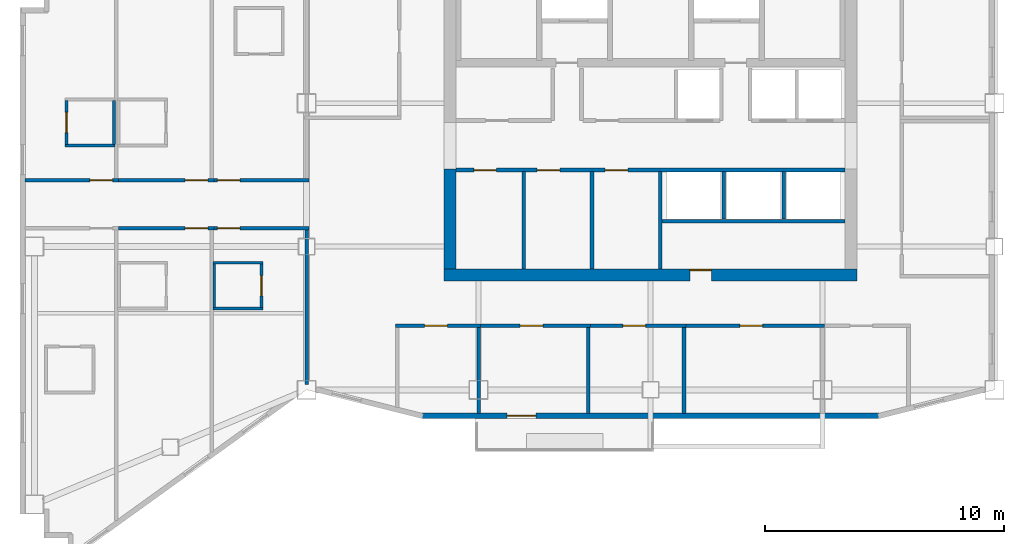
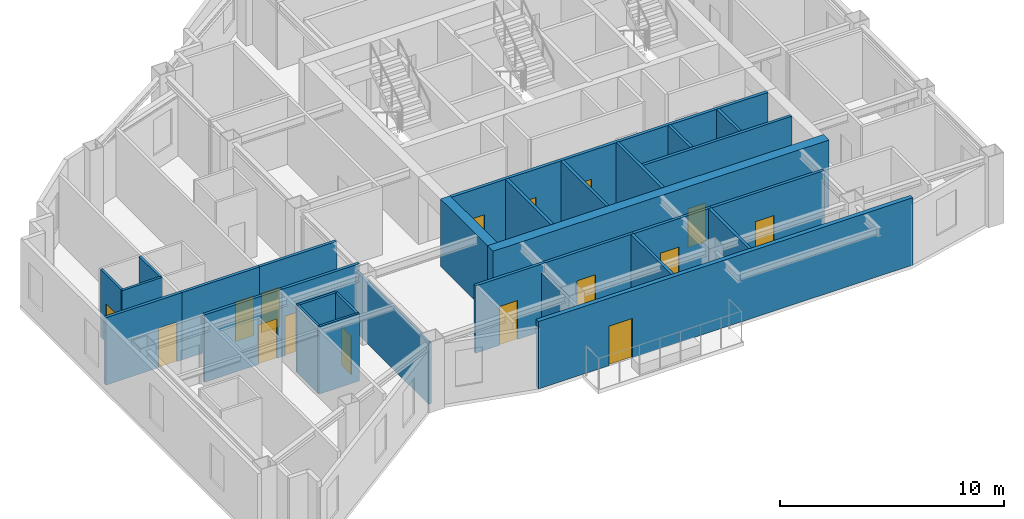
# One storey, part 5 of 11: 30 walls, 16 doors, 16 openings.
"""IFC4 building model written with IfcOpenShell, lengths in metres."""

from ifc_helpers import new_model, si_unit, direction, frame, frame_2d, origin, place, context, subcontext, project, spatial, rectangle, extrude, material, layer, layer_set, type_object, element, fill, save


model = new_model("IFC4")

# Units and contexts
model_context = context("Model", 3, precision=1e-05, world=origin(), true_north=direction((0.0, 1.0)))
body_context = subcontext(model_context, "Body", "Model", "MODEL_VIEW")
ifc_project = project(units=[si_unit("LENGTHUNIT", "METRE"), si_unit("AREAUNIT", "SQUARE_METRE"), si_unit("VOLUMEUNIT", "CUBIC_METRE"), si_unit("PLANEANGLEUNIT", "RADIAN"), si_unit("MASSUNIT", "GRAM", prefix="KILO")], contexts=[model_context])

# Site, building, storey
site_placement = place(None, origin())
site = spatial("IfcSite", under=ifc_project, at=site_placement, CompositionType="ELEMENT")
building_placement = place(site_placement, origin())
building = spatial("IfcBuilding", under=site, at=building_placement, Name="Haolan Belvedere Tower", CompositionType="ELEMENT")
storey_placement = place(building_placement, frame((0.0, 0.0, 254.449951171875)))
storey = spatial("IfcBuildingStorey", under=building, at=storey_placement, Name="L64", CompositionType="ELEMENT", Elevation=254.449951171875)

# Wall, opening, door
ifc_material_1 = material(Name="Concrete C50/60", Category="concrete")
ifc_layer_1 = layer(ifc_material_1, 0.5, Name="Concrete C50/60")
ifc_layer_set_1 = layer_set([ifc_layer_1], Name="Concrete C50/60")
wall_type_1 = type_object("IfcWallType", Name="WL-CORE-500", PredefinedType="SHEAR", material=ifc_layer_set_1)
wall_1_placement = place(storey_placement, frame((29.75, 26.39990234375, 0.0), z_axis=(0.0, 0.0, 1.0), x_axis=(1.0, 0.0, 0.0)))
wall_1 = element("IfcWall", 1, at=wall_1_placement, inside=storey, type_object=wall_type_1, Name="L64 central core south shear wall", PredefinedType="SHEAR", context=body_context, shape_type="SweptSolid", body=[
    extrude(rectangle(XDim=17.300048828125, YDim=0.5, at=frame_2d((8.64990234375, 0.0))), origin(), (0.0, 0.0, 1.0), 3.670166015625),
])
opening_1_placement = place(wall_1_placement, frame((11.199951171875, 0.0, 0.0), z_axis=(0.0, 0.0, 1.0), x_axis=(-1.0, 0.0, 0.0)))
opening_1 = element("IfcOpeningElement", 2, at=opening_1_placement, cuts=wall_1, Name="Opening FD-05", PredefinedType="OPENING", context=body_context, shape_type="SweptSolid", body=[
    extrude(rectangle(XDim=0.89990234375, YDim=2.10009765625, at=frame_2d((0.449951171875, 1.050048828125))), frame((0.0, 0.260009765625, 0.0), z_axis=(0.0, -1.0, 0.0), x_axis=(1.0, 0.0, 0.0)), (0.0, 0.0, 1.0), 0.52001953125),
])
ifc_material_2 = material(Name="Galvanised fire-rated steel", Category="steel")
door_type_1 = type_object("IfcDoorType", Name="DR-FD60-900", OperationType="NOTDEFINED", PredefinedType="DOOR", material=ifc_material_2)
door_1_placement = place(opening_1_placement, origin())
door_1 = element("IfcDoor", 3, at=door_1_placement, inside=storey, type_object=door_type_1, Name="L64 door CD-L64-SCVE", OperationType="SINGLE_SWING_RIGHT", OverallHeight=2.10009765625, OverallWidth=0.89990234375, PredefinedType="DOOR", context=body_context, shape_type="SweptSolid", body=[
    extrude(rectangle(XDim=0.89990234375, YDim=2.10009765625, at=frame_2d((0.449951171875, 1.050048828125))), frame((0.0, -0.19482421875, 0.0), z_axis=(0.0, -1.0, 0.0), x_axis=(1.0, 0.0, 0.0)), (0.0, 0.0, 1.0), 0.050048828125),
])
fill(opening_1, door_1)

# Wall
wall_2_placement = place(storey_placement, frame((30.0, 26.64990234375, 0.0), z_axis=(0.0, 0.0, 1.0), x_axis=(0.0, 1.0, 0.0)))
element("IfcWall", 4, at=wall_2_placement, inside=storey, type_object=wall_type_1, Name="L64 central core shear wall WS", PredefinedType="SHEAR", context=body_context, shape_type="SweptSolid", body=[
    extrude(rectangle(XDim=4.2001953125, YDim=0.5, at=frame_2d((2.10009765625, 0.0))), origin(), (0.0, 0.0, 1.0), 3.670166015625),
])

# Wall, opening, door
ifc_material_3 = material(Name="Precast concrete C40/50", Category="concrete")
ifc_layer_2 = layer(ifc_material_3, 0.219970703125, Name="Precast concrete C40/50")
ifc_layer_set_2 = layer_set([ifc_layer_2], Name="Precast concrete C40/50")
wall_type_2 = type_object("IfcWallType", Name="WL-EXT-220", PredefinedType="SOLIDWALL", material=ifc_layer_set_2)
wall_3_placement = place(storey_placement, frame((28.758544921875, 20.510009765625, 0.0), z_axis=(0.0, 0.0, 1.0), x_axis=(1.0, 0.0, 0.0)))
wall_3 = element("IfcWall", 5, at=wall_3_placement, inside=storey, type_object=wall_type_2, Name="L64 pale-metal exterior spandrel wall 1.1", PredefinedType="SOLIDWALL", context=body_context, shape_type="SweptSolid", body=[
    extrude(rectangle(XDim=19.282958984375, YDim=0.219970703125, at=frame_2d((9.6416015625, 0.0))), origin(), (0.0, 0.0, 1.0), 3.670166015625),
])
opening_2_placement = place(wall_3_placement, frame((4.841552734375, 0.0, 0.0), z_axis=(0.0, 0.0, 1.0), x_axis=(-1.0, 0.0, 0.0)))
opening_2 = element("IfcOpeningElement", 6, at=opening_2_placement, cuts=wall_3, Name="Opening BD-01", PredefinedType="OPENING", context=body_context, shape_type="SweptSolid", body=[
    extrude(rectangle(XDim=1.199951171875, YDim=2.14990234375, at=frame_2d((0.60009765625, 1.074951171875))), frame((0.0, 0.119873046875, 0.0), z_axis=(0.0, -1.0, 0.0), x_axis=(1.0, 0.0, 0.0)), (0.0, 0.0, 1.0), 0.239990234375),
])
ifc_material_4 = material(Name="Thermally broken pale-metal aluminium and Low-E glass", Category="aluminium")
door_type_2 = type_object("IfcDoorType", Name="DR-BAL-1200", OperationType="NOTDEFINED", PredefinedType="DOOR", material=ifc_material_4)
door_2_placement = place(opening_2_placement, origin())
door_2 = element("IfcDoor", 7, at=door_2_placement, inside=storey, type_object=door_type_2, Name="L64 tree-balcony access door 1", OperationType="SINGLE_SWING_RIGHT", OverallHeight=2.14990234375, OverallWidth=1.199951171875, PredefinedType="DOOR", context=body_context, shape_type="SweptSolid", body=[
    extrude(rectangle(XDim=1.199951171875, YDim=2.14990234375, at=frame_2d((0.60009765625, 1.074951171875))), frame((0.0, 0.02490234375, 0.0), z_axis=(0.0, -1.0, 0.0), x_axis=(1.0, 0.0, 0.0)), (0.0, 0.0, 1.0), 0.050048828125),
])
fill(opening_2, door_2)

# Walls
ifc_material_5 = material(Name="Double gypsum acoustic stud partition", Category="masonry")
ifc_layer_3 = layer(ifc_material_5, 0.14990234375, Name="Double gypsum acoustic stud partition")
ifc_layer_set_3 = layer_set([ifc_layer_3], Name="Double gypsum acoustic stud partition")
wall_type_3 = type_object("IfcWallType", Name="WL-PART-150", PredefinedType="PARTITIONING", material=ifc_layer_set_3)
for number, where, z_axis, x_axis, name in (
    (8, (33.10009765625, 26.659912109375, 0.0), (0.0, 0.0, 1.0), (0.0, 1.0, 0.0), "L64 interior partition IW-L64-DIV-REUSE-PM1"),
    (9, (35.949951171875, 26.659912109375, 0.0), (0.0, 0.0, 1.0), (0.0, 1.0, 0.0), "L64 interior partition IW-L64-DIV-REUSE-PM2"),
):
    element("IfcWall", number, at=place(storey_placement, frame(where, z_axis=z_axis, x_axis=x_axis)), inside=storey, type_object=wall_type_3, Name=name, PredefinedType="PARTITIONING", context=body_context, shape_type="SweptSolid", body=[
        extrude(rectangle(XDim=4.0751953125, YDim=0.14990234375, at=frame_2d((2.03759765625, 0.0))), origin(), (0.0, 0.0, 1.0), 3.670166015625),
    ])
wall_4_placement = place(storey_placement, frame((38.860107421875, 28.659912109375, 0.0), z_axis=(0.0, 0.0, 1.0), x_axis=(1.0, 0.0, 0.0)))
element("IfcWall", 10, at=wall_4_placement, inside=storey, type_object=wall_type_3, Name="L64 interior partition IW-L64-SSTRIP-E", PredefinedType="PARTITIONING", context=body_context, shape_type="SweptSolid", body=[
    extrude(rectangle(XDim=7.68994140625, YDim=0.14990234375, at=frame_2d((3.844970703125, 0.0))), origin(), (0.0, 0.0, 1.0), 3.670166015625),
])

# Wall, opening, door
wall_5_placement = place(storey_placement, frame((27.719970703125, 24.280029296875, 0.0), z_axis=(0.0, 0.0, 1.0), x_axis=(1.0, 0.0, 0.0)))
wall_5 = element("IfcWall", 11, at=wall_5_placement, inside=storey, type_object=wall_type_3, Name="L64 interior partition IW-L64-KS2-N", PredefinedType="PARTITIONING", context=body_context, shape_type="SweptSolid", body=[
    extrude(rectangle(XDim=3.56005859375, YDim=0.14990234375, at=frame_2d((1.780029296875, 0.0))), origin(), (0.0, 0.0, 1.0), 3.670166015625),
])
opening_3_placement = place(wall_5_placement, frame((2.175048828125, 0.0, 0.0), z_axis=(0.0, 0.0, 1.0), x_axis=(-1.0, 0.0, 0.0)))
opening_3 = element("IfcOpeningElement", 12, at=opening_3_placement, cuts=wall_5, Name="Opening ID-03", PredefinedType="OPENING", context=body_context, shape_type="SweptSolid", body=[
    extrude(rectangle(XDim=0.949951171875, YDim=2.1201171875, at=frame_2d((0.47509765625, 1.06005859375))), frame((0.0, 0.0849609375, 0.0), z_axis=(0.0, -1.0, 0.0), x_axis=(1.0, 0.0, 0.0)), (0.0, 0.0, 1.0), 0.169921875),
])
ifc_material_6 = material(Name="Painted solid-core timber", Category="wood")
door_type_3 = type_object("IfcDoorType", Name="DR-INT-950", OperationType="NOTDEFINED", PredefinedType="DOOR", material=ifc_material_6)
door_3_placement = place(opening_3_placement, origin())
door_3 = element("IfcDoor", 13, at=door_3_placement, inside=storey, type_object=door_type_3, Name="L64 door ID-L64-KS2", OperationType="SINGLE_SWING_LEFT", OverallHeight=2.1201171875, OverallWidth=0.949951171875, PredefinedType="DOOR", context=body_context, shape_type="SweptSolid", body=[
    extrude(rectangle(XDim=0.949951171875, YDim=2.1201171875, at=frame_2d((0.47509765625, 1.06005859375))), frame((0.0, 0.02490234375, 0.0), z_axis=(0.0, -1.0, 0.0), x_axis=(1.0, 0.0, 0.0)), (0.0, 0.0, 1.0), 0.050048828125),
])
fill(opening_3, door_3)

# Wall
wall_6_placement = place(storey_placement, frame((31.199951171875, 20.612060546875, 0.0), z_axis=(0.0, 0.0, 1.0), x_axis=(0.0, 1.0, 0.0)))
element("IfcWall", 14, at=wall_6_placement, inside=storey, type_object=wall_type_3, Name="L64 interior partition IW-L64-KS2-E", PredefinedType="PARTITIONING", context=body_context, shape_type="SweptSolid", body=[
    extrude(rectangle(XDim=3.60791015625, YDim=0.14990234375, at=frame_2d((1.803955078125, 0.0))), origin(), (0.0, 0.0, 1.0), 3.205078125),
])

# Wall, opening, door
wall_7_placement = place(storey_placement, frame((31.281982421875, 24.280029296875, 0.0), z_axis=(0.0, 0.0, 1.0), x_axis=(1.0, 0.0, 0.0)))
wall_7 = element("IfcWall", 15, at=wall_7_placement, inside=storey, type_object=wall_type_3, Name="L64 interior partition IW-L64-KS3-N", PredefinedType="PARTITIONING", context=body_context, shape_type="SweptSolid", body=[
    extrude(rectangle(XDim=4.597900390625, YDim=0.14990234375, at=frame_2d((2.298828125, 0.0))), origin(), (0.0, 0.0, 1.0), 3.670166015625),
])
opening_4_placement = place(wall_7_placement, frame((2.613037109375, 0.0, 0.0), z_axis=(0.0, 0.0, 1.0), x_axis=(-1.0, 0.0, 0.0)))
opening_4 = element("IfcOpeningElement", 16, at=opening_4_placement, cuts=wall_7, Name="Opening ID-03", PredefinedType="OPENING", context=body_context, shape_type="SweptSolid", body=[
    extrude(rectangle(XDim=0.949951171875, YDim=2.1201171875, at=frame_2d((0.47509765625, 1.06005859375))), frame((0.0, 0.0849609375, 0.0), z_axis=(0.0, -1.0, 0.0), x_axis=(1.0, 0.0, 0.0)), (0.0, 0.0, 1.0), 0.169921875),
])
door_4_placement = place(opening_4_placement, origin())
door_4 = element("IfcDoor", 17, at=door_4_placement, inside=storey, type_object=door_type_3, Name="L64 door ID-L64-KS3", OperationType="SINGLE_SWING_RIGHT", OverallHeight=2.1201171875, OverallWidth=0.949951171875, PredefinedType="DOOR", context=body_context, shape_type="SweptSolid", body=[
    extrude(rectangle(XDim=0.949951171875, YDim=2.1201171875, at=frame_2d((0.47509765625, 1.06005859375))), frame((0.0, 0.02490234375, 0.0), z_axis=(0.0, -1.0, 0.0), x_axis=(1.0, 0.0, 0.0)), (0.0, 0.0, 1.0), 0.050048828125),
])
fill(opening_4, door_4)

# Wall
wall_8_placement = place(storey_placement, frame((35.800048828125, 20.612060546875, 0.0), z_axis=(0.0, 0.0, 1.0), x_axis=(0.0, 1.0, 0.0)))
element("IfcWall", 18, at=wall_8_placement, inside=storey, type_object=wall_type_3, Name="L64 interior partition IW-L64-KS3-E", PredefinedType="PARTITIONING", context=body_context, shape_type="SweptSolid", body=[
    extrude(rectangle(XDim=3.60791015625, YDim=0.14990234375, at=frame_2d((1.803955078125, 0.0))), origin(), (0.0, 0.0, 1.0), 3.670166015625),
])

# Wall, opening, door
wall_9_placement = place(storey_placement, frame((35.882080078125, 24.280029296875, 0.0), z_axis=(0.0, 0.0, 1.0), x_axis=(1.0, 0.0, 0.0)))
wall_9 = element("IfcWall", 19, at=wall_9_placement, inside=storey, type_object=wall_type_3, Name="L64 interior partition IW-L64-KS4-N", PredefinedType="PARTITIONING", context=body_context, shape_type="SweptSolid", body=[
    extrude(rectangle(XDim=3.997802734375, YDim=0.14990234375, at=frame_2d((1.9990234375, 0.0))), origin(), (0.0, 0.0, 1.0), 3.670166015625),
])
opening_5_placement = place(wall_9_placement, frame((2.31298828125, 0.0, 0.0), z_axis=(0.0, 0.0, 1.0), x_axis=(-1.0, 0.0, 0.0)))
opening_5 = element("IfcOpeningElement", 20, at=opening_5_placement, cuts=wall_9, Name="Opening ID-03", PredefinedType="OPENING", context=body_context, shape_type="SweptSolid", body=[
    extrude(rectangle(XDim=0.949951171875, YDim=2.1201171875, at=frame_2d((0.47509765625, 1.06005859375))), frame((0.0, 0.0849609375, 0.0), z_axis=(0.0, -1.0, 0.0), x_axis=(1.0, 0.0, 0.0)), (0.0, 0.0, 1.0), 0.169921875),
])
door_5_placement = place(opening_5_placement, origin())
door_5 = element("IfcDoor", 21, at=door_5_placement, inside=storey, type_object=door_type_3, Name="L64 door ID-L64-KS4", OperationType="SINGLE_SWING_LEFT", OverallHeight=2.1201171875, OverallWidth=0.949951171875, PredefinedType="DOOR", context=body_context, shape_type="SweptSolid", body=[
    extrude(rectangle(XDim=0.949951171875, YDim=2.1201171875, at=frame_2d((0.47509765625, 1.06005859375))), frame((0.0, 0.02490234375, 0.0), z_axis=(0.0, -1.0, 0.0), x_axis=(1.0, 0.0, 0.0)), (0.0, 0.0, 1.0), 0.050048828125),
])
fill(opening_5, door_5)

# Wall
wall_10_placement = place(storey_placement, frame((39.800048828125, 20.612060546875, 0.0), z_axis=(0.0, 0.0, 1.0), x_axis=(0.0, 1.0, 0.0)))
element("IfcWall", 22, at=wall_10_placement, inside=storey, type_object=wall_type_3, Name="L64 interior partition IW-L64-KS4-E", PredefinedType="PARTITIONING", context=body_context, shape_type="SweptSolid", body=[
    extrude(rectangle(XDim=3.60791015625, YDim=0.14990234375, at=frame_2d((1.803955078125, 0.0))), origin(), (0.0, 0.0, 1.0), 3.670166015625),
])

# Wall, opening, door
wall_11_placement = place(storey_placement, frame((39.882080078125, 24.280029296875, 0.0), z_axis=(0.0, 0.0, 1.0), x_axis=(1.0, 0.0, 0.0)))
wall_11 = element("IfcWall", 23, at=wall_11_placement, inside=storey, type_object=wall_type_3, Name="L64 interior partition IW-L64-KS5-N", PredefinedType="PARTITIONING", context=body_context, shape_type="SweptSolid", body=[
    extrude(rectangle(XDim=5.7978515625, YDim=0.14990234375, at=frame_2d((2.89892578125, 0.0))), origin(), (0.0, 0.0, 1.0), 3.670166015625),
])
opening_6_placement = place(wall_11_placement, frame((3.212890625, 0.0, 0.0), z_axis=(0.0, 0.0, 1.0), x_axis=(-1.0, 0.0, 0.0)))
opening_6 = element("IfcOpeningElement", 24, at=opening_6_placement, cuts=wall_11, Name="Opening ID-03", PredefinedType="OPENING", context=body_context, shape_type="SweptSolid", body=[
    extrude(rectangle(XDim=0.949951171875, YDim=2.1201171875, at=frame_2d((0.47509765625, 1.06005859375))), frame((0.0, 0.0849609375, 0.0), z_axis=(0.0, -1.0, 0.0), x_axis=(1.0, 0.0, 0.0)), (0.0, 0.0, 1.0), 0.169921875),
])
door_6_placement = place(opening_6_placement, origin())
door_6 = element("IfcDoor", 25, at=door_6_placement, inside=storey, type_object=door_type_3, Name="L64 door ID-L64-KS5", OperationType="SINGLE_SWING_RIGHT", OverallHeight=2.1201171875, OverallWidth=0.949951171875, PredefinedType="DOOR", context=body_context, shape_type="SweptSolid", body=[
    extrude(rectangle(XDim=0.949951171875, YDim=2.1201171875, at=frame_2d((0.47509765625, 1.06005859375))), frame((0.0, 0.02490234375, 0.0), z_axis=(0.0, -1.0, 0.0), x_axis=(1.0, 0.0, 0.0)), (0.0, 0.0, 1.0), 0.050048828125),
])
fill(opening_6, door_6)

wall_12_placement = place(storey_placement, frame((12.2119140625, 30.3798828125, 0.0), z_axis=(0.0, 0.0, 1.0), x_axis=(1.0, 0.0, 0.0)))
wall_12 = element("IfcWall", 26, at=wall_12_placement, inside=storey, type_object=wall_type_3, Name="L64 interior partition IW-L64-T2N1-S", PredefinedType="PARTITIONING", context=body_context, shape_type="SweptSolid", body=[
    extrude(rectangle(XDim=3.91796875, YDim=0.14990234375, at=frame_2d((1.958984375, 0.0))), origin(), (0.0, 0.0, 1.0), 3.670166015625),
])
opening_7_placement = place(wall_12_placement, frame((2.71337890625, 0.0, 0.0)))
opening_7 = element("IfcOpeningElement", 27, at=opening_7_placement, cuts=wall_12, Name="Opening ID-02", PredefinedType="OPENING", context=body_context, shape_type="SweptSolid", body=[
    extrude(rectangle(XDim=0.949951171875, YDim=2.14990234375, at=frame_2d((0.47509765625, 1.074951171875))), frame((0.0, 0.0849609375, 0.0), z_axis=(0.0, -1.0, 0.0), x_axis=(1.0, 0.0, 0.0)), (0.0, 0.0, 1.0), 0.169921875),
])
ifc_material_7 = material(Name="Acoustic oak veneer fire-rated timber", Category="wood")
door_type_4 = type_object("IfcDoorType", Name="DR-GUEST-950", OperationType="NOTDEFINED", PredefinedType="DOOR", material=ifc_material_7)
door_7_placement = place(opening_7_placement, origin())
door_7 = element("IfcDoor", 28, at=door_7_placement, inside=storey, type_object=door_type_4, Name="L64 door ID-L64-T2N1-ENT", OperationType="SINGLE_SWING_LEFT", OverallHeight=2.14990234375, OverallWidth=0.949951171875, PredefinedType="DOOR", context=body_context, shape_type="SweptSolid", body=[
    extrude(rectangle(XDim=0.949951171875, YDim=2.14990234375, at=frame_2d((0.47509765625, 1.074951171875))), frame((0.0, 0.02490234375, 0.0), z_axis=(0.0, -1.0, 0.0), x_axis=(1.0, 0.0, 0.0)), (0.0, 0.0, 1.0), 0.050048828125),
])
fill(opening_7, door_7)

wall_13_placement = place(storey_placement, frame((16.132080078125, 30.3798828125, 0.0), z_axis=(0.0, 0.0, 1.0), x_axis=(1.0, 0.0, 0.0)))
wall_13 = element("IfcWall", 29, at=wall_13_placement, inside=storey, type_object=wall_type_3, Name="L64 interior partition IW-L64-T2N2-S", PredefinedType="PARTITIONING", context=body_context, shape_type="SweptSolid", body=[
    extrude(rectangle(XDim=3.988037109375, YDim=0.14990234375, at=frame_2d((1.994140625, 0.0))), origin(), (0.0, 0.0, 1.0), 3.670166015625),
])
opening_8_placement = place(wall_13_placement, frame((2.781005859375, 0.0, 0.0)))
opening_8 = element("IfcOpeningElement", 30, at=opening_8_placement, cuts=wall_13, Name="Opening ID-02", PredefinedType="OPENING", context=body_context, shape_type="SweptSolid", body=[
    extrude(rectangle(XDim=0.949951171875, YDim=2.14990234375, at=frame_2d((0.47509765625, 1.074951171875))), frame((0.0, 0.0849609375, 0.0), z_axis=(0.0, -1.0, 0.0), x_axis=(1.0, 0.0, 0.0)), (0.0, 0.0, 1.0), 0.169921875),
])
door_8_placement = place(opening_8_placement, origin())
door_8 = element("IfcDoor", 31, at=door_8_placement, inside=storey, type_object=door_type_4, Name="L64 door ID-L64-T2N2-ENT", OperationType="SINGLE_SWING_RIGHT", OverallHeight=2.14990234375, OverallWidth=0.949951171875, PredefinedType="DOOR", context=body_context, shape_type="SweptSolid", body=[
    extrude(rectangle(XDim=0.949951171875, YDim=2.14990234375, at=frame_2d((0.47509765625, 1.074951171875))), frame((0.0, 0.02490234375, 0.0), z_axis=(0.0, -1.0, 0.0), x_axis=(1.0, 0.0, 0.0)), (0.0, 0.0, 1.0), 0.050048828125),
])
fill(opening_8, door_8)

wall_14_placement = place(storey_placement, frame((20.1220703125, 30.3798828125, 0.0), z_axis=(0.0, 0.0, 1.0), x_axis=(1.0, 0.0, 0.0)))
wall_14 = element("IfcWall", 32, at=wall_14_placement, inside=storey, type_object=wall_type_3, Name="L64 interior partition IW-L64-T2N3-S", PredefinedType="PARTITIONING", context=body_context, shape_type="SweptSolid", body=[
    extrude(rectangle(XDim=3.97802734375, YDim=0.14990234375, at=frame_2d((1.989013671875, 0.0))), origin(), (0.0, 0.0, 1.0), 3.670166015625),
])
opening_9_placement = place(wall_14_placement, frame((0.139892578125, 0.0, 0.0)))
opening_9 = element("IfcOpeningElement", 33, at=opening_9_placement, cuts=wall_14, Name="Opening ID-02", PredefinedType="OPENING", context=body_context, shape_type="SweptSolid", body=[
    extrude(rectangle(XDim=0.949951171875, YDim=2.14990234375, at=frame_2d((0.47509765625, 1.074951171875))), frame((0.0, 0.0849609375, 0.0), z_axis=(0.0, -1.0, 0.0), x_axis=(1.0, 0.0, 0.0)), (0.0, 0.0, 1.0), 0.169921875),
])
door_9_placement = place(opening_9_placement, origin())
door_9 = element("IfcDoor", 34, at=door_9_placement, inside=storey, type_object=door_type_4, Name="L64 door ID-L64-T2N3-ENT", OperationType="SINGLE_SWING_LEFT", OverallHeight=2.14990234375, OverallWidth=0.949951171875, PredefinedType="DOOR", context=body_context, shape_type="SweptSolid", body=[
    extrude(rectangle(XDim=0.949951171875, YDim=2.14990234375, at=frame_2d((0.47509765625, 1.074951171875))), frame((0.0, 0.02490234375, 0.0), z_axis=(0.0, -1.0, 0.0), x_axis=(1.0, 0.0, 0.0)), (0.0, 0.0, 1.0), 0.050048828125),
])
fill(opening_9, door_9)

wall_15_placement = place(storey_placement, frame((16.132080078125, 28.3701171875, 0.0), z_axis=(0.0, 0.0, 1.0), x_axis=(1.0, 0.0, 0.0)))
wall_15 = element("IfcWall", 35, at=wall_15_placement, inside=storey, type_object=wall_type_3, Name="L64 interior partition IW-L64-T2S2-N", PredefinedType="PARTITIONING", context=body_context, shape_type="SweptSolid", body=[
    extrude(rectangle(XDim=3.988037109375, YDim=0.14990234375, at=frame_2d((1.994140625, 0.0))), origin(), (0.0, 0.0, 1.0), 3.670166015625),
])
opening_10_placement = place(wall_15_placement, frame((3.73095703125, 0.0, 0.0), z_axis=(0.0, 0.0, 1.0), x_axis=(-1.0, 0.0, 0.0)))
opening_10 = element("IfcOpeningElement", 36, at=opening_10_placement, cuts=wall_15, Name="Opening ID-02", PredefinedType="OPENING", context=body_context, shape_type="SweptSolid", body=[
    extrude(rectangle(XDim=0.949951171875, YDim=2.14990234375, at=frame_2d((0.47509765625, 1.074951171875))), frame((0.0, 0.0849609375, 0.0), z_axis=(0.0, -1.0, 0.0), x_axis=(1.0, 0.0, 0.0)), (0.0, 0.0, 1.0), 0.169921875),
])
door_10_placement = place(opening_10_placement, origin())
door_10 = element("IfcDoor", 37, at=door_10_placement, inside=storey, type_object=door_type_4, Name="L64 door ID-L64-T2S2-ENT", OperationType="SINGLE_SWING_LEFT", OverallHeight=2.14990234375, OverallWidth=0.949951171875, PredefinedType="DOOR", context=body_context, shape_type="SweptSolid", body=[
    extrude(rectangle(XDim=0.949951171875, YDim=2.14990234375, at=frame_2d((0.47509765625, 1.074951171875))), frame((0.0, 0.02490234375, 0.0), z_axis=(0.0, -1.0, 0.0), x_axis=(1.0, 0.0, 0.0)), (0.0, 0.0, 1.0), 0.050048828125),
])
fill(opening_10, door_10)

wall_16_placement = place(storey_placement, frame((20.1220703125, 28.3701171875, 0.0), z_axis=(0.0, 0.0, 1.0), x_axis=(1.0, 0.0, 0.0)))
wall_16 = element("IfcWall", 38, at=wall_16_placement, inside=storey, type_object=wall_type_3, Name="L64 interior partition IW-L64-T2S3-N", PredefinedType="PARTITIONING", context=body_context, shape_type="SweptSolid", body=[
    extrude(rectangle(XDim=3.97802734375, YDim=0.14990234375, at=frame_2d((1.989013671875, 0.0))), origin(), (0.0, 0.0, 1.0), 3.670166015625),
])
opening_11_placement = place(wall_16_placement, frame((1.08984375, 0.0, 0.0), z_axis=(0.0, 0.0, 1.0), x_axis=(-1.0, 0.0, 0.0)))
opening_11 = element("IfcOpeningElement", 39, at=opening_11_placement, cuts=wall_16, Name="Opening ID-02", PredefinedType="OPENING", context=body_context, shape_type="SweptSolid", body=[
    extrude(rectangle(XDim=0.949951171875, YDim=2.14990234375, at=frame_2d((0.47509765625, 1.074951171875))), frame((0.0, 0.0849609375, 0.0), z_axis=(0.0, -1.0, 0.0), x_axis=(1.0, 0.0, 0.0)), (0.0, 0.0, 1.0), 0.169921875),
])
door_11_placement = place(opening_11_placement, origin())
door_11 = element("IfcDoor", 40, at=door_11_placement, inside=storey, type_object=door_type_4, Name="L64 door ID-L64-T2S3-ENT", OperationType="SINGLE_SWING_RIGHT", OverallHeight=2.14990234375, OverallWidth=0.949951171875, PredefinedType="DOOR", context=body_context, shape_type="SweptSolid", body=[
    extrude(rectangle(XDim=0.949951171875, YDim=2.14990234375, at=frame_2d((0.47509765625, 1.074951171875))), frame((0.0, 0.02490234375, 0.0), z_axis=(0.0, -1.0, 0.0), x_axis=(1.0, 0.0, 0.0)), (0.0, 0.0, 1.0), 0.050048828125),
])
fill(opening_11, door_11)

# Wall
wall_17_placement = place(storey_placement, frame((24.0, 21.818603515625, 0.0), z_axis=(0.0, 0.0, 1.0), x_axis=(0.0, 1.0, 0.0)))
element("IfcWall", 41, at=wall_17_placement, inside=storey, type_object=wall_type_3, Name="L64 interior partition IW-L64-T2S3-E", PredefinedType="PARTITIONING", context=body_context, shape_type="SweptSolid", body=[
    extrude(rectangle(XDim=6.491455078125, YDim=0.14990234375, at=frame_2d((3.24560546875, 0.0))), origin(), (0.0, 0.0, 1.0), 3.31494140625),
])

# Wall, openings, doors
ifc_material_8 = material(Name="Gypsum fire shaftwall assembly", Category="masonry")
ifc_layer_4 = layer(ifc_material_8, 0.1650390625, Name="Gypsum fire shaftwall assembly")
ifc_layer_set_4 = layer_set([ifc_layer_4], Name="Gypsum fire shaftwall assembly")
wall_type_4 = type_object("IfcWallType", Name="WL-SHAFT-160", PredefinedType="SOLIDWALL", material=ifc_layer_set_4)
wall_18_placement = place(storey_placement, frame((30.25, 30.800048828125, 0.0), z_axis=(0.0, 0.0, 1.0), x_axis=(1.0, 0.0, 0.0)))
wall_18 = element("IfcWall", 42, at=wall_18_placement, inside=storey, type_object=wall_type_4, Name="L64 interior partition IW-L64-ROW-PS", PredefinedType="SOLIDWALL", context=body_context, shape_type="SweptSolid", body=[
    extrude(rectangle(XDim=16.300048828125, YDim=0.159912109375, at=frame_2d((8.14990234375, 0.0))), origin(), (0.0, 0.0, 1.0), 3.670166015625),
])
opening_12_placement = place(wall_18_placement, frame((0.75, 0.0, 0.0)))
opening_12 = element("IfcOpeningElement", 43, at=opening_12_placement, cuts=wall_18, Name="Opening ID-03", PredefinedType="OPENING", context=body_context, shape_type="SweptSolid", body=[
    extrude(rectangle(XDim=0.949951171875, YDim=2.1201171875, at=frame_2d((0.47509765625, 1.06005859375))), frame((0.0, 0.08984375, 0.0), z_axis=(0.0, -1.0, 0.0), x_axis=(1.0, 0.0, 0.0)), (0.0, 0.0, 1.0), 0.179931640625),
])
opening_13_placement = place(wall_18_placement, frame((3.39990234375, 0.0, 0.0)))
opening_13 = element("IfcOpeningElement", 44, at=opening_13_placement, cuts=wall_18, Name="Opening ID-03", PredefinedType="OPENING", context=body_context, shape_type="SweptSolid", body=[
    extrude(rectangle(XDim=0.949951171875, YDim=2.1201171875, at=frame_2d((0.47509765625, 1.06005859375))), frame((0.0, 0.08984375, 0.0), z_axis=(0.0, -1.0, 0.0), x_axis=(1.0, 0.0, 0.0)), (0.0, 0.0, 1.0), 0.179931640625),
])
opening_14_placement = place(wall_18_placement, frame((6.25, 0.0, 0.0)))
opening_14 = element("IfcOpeningElement", 45, at=opening_14_placement, cuts=wall_18, Name="Opening ID-03", PredefinedType="OPENING", context=body_context, shape_type="SweptSolid", body=[
    extrude(rectangle(XDim=0.949951171875, YDim=2.1201171875, at=frame_2d((0.47509765625, 1.06005859375))), frame((0.0, 0.08984375, 0.0), z_axis=(0.0, -1.0, 0.0), x_axis=(1.0, 0.0, 0.0)), (0.0, 0.0, 1.0), 0.179931640625),
])
door_12_placement = place(opening_12_placement, origin())
door_12 = element("IfcDoor", 46, at=door_12_placement, inside=storey, type_object=door_type_3, Name="L64 door ID-L64-CD-RPMA", OperationType="SINGLE_SWING_LEFT", OverallHeight=2.1201171875, OverallWidth=0.949951171875, PredefinedType="DOOR", context=body_context, shape_type="SweptSolid", body=[
    extrude(rectangle(XDim=0.949951171875, YDim=2.1201171875, at=frame_2d((0.47509765625, 1.06005859375))), frame((0.0, 0.02490234375, 0.0), z_axis=(0.0, -1.0, 0.0), x_axis=(1.0, 0.0, 0.0)), (0.0, 0.0, 1.0), 0.050048828125),
])
fill(opening_12, door_12)
door_13_placement = place(opening_13_placement, origin())
door_13 = element("IfcDoor", 47, at=door_13_placement, inside=storey, type_object=door_type_3, Name="L64 door ID-L64-CD-RPMB", OperationType="SINGLE_SWING_RIGHT", OverallHeight=2.1201171875, OverallWidth=0.949951171875, PredefinedType="DOOR", context=body_context, shape_type="SweptSolid", body=[
    extrude(rectangle(XDim=0.949951171875, YDim=2.1201171875, at=frame_2d((0.47509765625, 1.06005859375))), frame((0.0, 0.02490234375, 0.0), z_axis=(0.0, -1.0, 0.0), x_axis=(1.0, 0.0, 0.0)), (0.0, 0.0, 1.0), 0.050048828125),
])
fill(opening_13, door_13)
door_14_placement = place(opening_14_placement, origin())
door_14 = element("IfcDoor", 48, at=door_14_placement, inside=storey, type_object=door_type_3, Name="L64 door ID-L64-CD-RPMC", OperationType="SINGLE_SWING_LEFT", OverallHeight=2.1201171875, OverallWidth=0.949951171875, PredefinedType="DOOR", context=body_context, shape_type="SweptSolid", body=[
    extrude(rectangle(XDim=0.949951171875, YDim=2.1201171875, at=frame_2d((0.47509765625, 1.06005859375))), frame((0.0, 0.02490234375, 0.0), z_axis=(0.0, -1.0, 0.0), x_axis=(1.0, 0.0, 0.0)), (0.0, 0.0, 1.0), 0.050048828125),
])
fill(opening_14, door_14)

# Walls
wall_19_placement = place(storey_placement, frame((38.800048828125, 26.659912109375, 0.0), z_axis=(0.0, 0.0, 1.0), x_axis=(0.0, 1.0, 0.0)))
element("IfcWall", 49, at=wall_19_placement, inside=storey, type_object=wall_type_4, Name="L64 interior partition IW-L64-DIV-PM-OB", PredefinedType="SOLIDWALL", context=body_context, shape_type="SweptSolid", body=[
    extrude(rectangle(XDim=4.0751953125, YDim=0.14990234375, at=frame_2d((2.03759765625, 0.0))), origin(), (0.0, 0.0, 1.0), 3.670166015625),
])
for number, where, z_axis, x_axis, name in (
    (50, (41.469970703125, 28.75, 0.0), (0.0, 0.0, 1.0), (0.0, 1.0, 0.0), "L64 interior partition IW-L64-DIV-OB1"),
    (51, (43.97998046875, 28.75, 0.0), (0.0, 0.0, 1.0), (0.0, 1.0, 0.0), "L64 interior partition IW-L64-DIV-OB2"),
):
    element("IfcWall", number, at=place(storey_placement, frame(where, z_axis=z_axis, x_axis=x_axis)), inside=storey, type_object=wall_type_4, Name=name, PredefinedType="SOLIDWALL", context=body_context, shape_type="SweptSolid", body=[
        extrude(rectangle(XDim=1.985107421875, YDim=0.14990234375, at=frame_2d((0.99267578125, 0.0))), origin(), (0.0, 0.0, 1.0), 3.670166015625),
    ])
ifc_material_9 = material(Name="Moisture-resistant gypsum tile partition", Category="masonry")
ifc_layer_5 = layer(ifc_material_9, 0.1201171875, Name="Moisture-resistant gypsum tile partition")
ifc_layer_set_5 = layer_set([ifc_layer_5], Name="Moisture-resistant gypsum tile partition")
wall_type_5 = type_object("IfcWallType", Name="WL-WET-120", PredefinedType="PARTITIONING", material=ifc_layer_set_5)
wall_20_placement = place(storey_placement, frame((13.889892578125, 31.830078125, 0.0), z_axis=(0.0, 0.0, 1.0), x_axis=(1.0, 0.0, 0.0)))
element("IfcWall", 52, at=wall_20_placement, inside=storey, type_object=wall_type_5, Name="L64 interior partition IW-L64-T2N1-BS", PredefinedType="PARTITIONING", context=body_context, shape_type="SweptSolid", body=[
    extrude(rectangle(XDim=2.080078125, YDim=0.1201171875, at=frame_2d((1.0400390625, 0.0))), origin(), (0.0, 0.0, 1.0), 3.670166015625),
])

# Wall, opening, door
wall_21_placement = place(storey_placement, frame((13.949951171875, 31.875, 0.0), z_axis=(0.0, 0.0, 1.0), x_axis=(0.0, 1.0, 0.0)))
wall_21 = element("IfcWall", 53, at=wall_21_placement, inside=storey, type_object=wall_type_5, Name="L64 interior partition IW-L64-T2N1-BW", PredefinedType="PARTITIONING", context=body_context, shape_type="SweptSolid", body=[
    extrude(rectangle(XDim=1.830078125, YDim=0.1201171875, at=frame_2d((0.9150390625, 0.0))), origin(), (0.0, 0.0, 1.0), 3.670166015625),
])
opening_15_placement = place(wall_21_placement, frame((1.340087890625, 0.0, 0.0), z_axis=(0.0, 0.0, 1.0), x_axis=(-1.0, 0.0, 0.0)))
opening_15 = element("IfcOpeningElement", 54, at=opening_15_placement, cuts=wall_21, Name="Opening ID-05", PredefinedType="OPENING", context=body_context, shape_type="SweptSolid", body=[
    extrude(rectangle(XDim=0.85009765625, YDim=2.10009765625, at=frame_2d((0.425048828125, 1.050048828125))), frame((0.0, 0.070068359375, 0.0), z_axis=(0.0, -1.0, 0.0), x_axis=(1.0, 0.0, 0.0)), (0.0, 0.0, 1.0), 0.14013671875),
])
ifc_material_10 = material(Name="Moisture-resistant lacquered timber", Category="wood")
door_type_5 = type_object("IfcDoorType", Name="DR-BATH-850", OperationType="NOTDEFINED", PredefinedType="DOOR", material=ifc_material_10)
door_15_placement = place(opening_15_placement, origin())
door_15 = element("IfcDoor", 55, at=door_15_placement, inside=storey, type_object=door_type_5, Name="L64 door ID-L64-T2N1-BATH", OperationType="SINGLE_SWING_RIGHT", OverallHeight=2.10009765625, OverallWidth=0.85009765625, PredefinedType="DOOR", context=body_context, shape_type="SweptSolid", body=[
    extrude(rectangle(XDim=0.85009765625, YDim=2.10009765625, at=frame_2d((0.425048828125, 1.050048828125))), frame((0.0, 0.02490234375, 0.0), z_axis=(0.0, -1.0, 0.0), x_axis=(1.0, 0.0, 0.0)), (0.0, 0.0, 1.0), 0.050048828125),
])
fill(opening_15, door_15)

# Walls
wall_22_placement = place(storey_placement, frame((15.929931640625, 31.875, 0.0), z_axis=(0.0, 0.0, 1.0), x_axis=(0.0, 1.0, 0.0)))
element("IfcWall", 56, at=wall_22_placement, inside=storey, type_object=wall_type_5, Name="L64 interior partition IW-L64-T2N1-BE", PredefinedType="PARTITIONING", context=body_context, shape_type="SweptSolid", body=[
    extrude(rectangle(XDim=1.830078125, YDim=0.1201171875, at=frame_2d((0.9150390625, 0.0))), origin(), (0.0, 0.0, 1.0), 3.670166015625),
])
for number, where, z_axis, x_axis, name in (
    (57, (20.080078125, 26.919921875, 0.0), (0.0, 0.0, 1.0), (1.0, 0.0, 0.0), "L64 interior partition IW-L64-T2S3-BN"),
    (58, (20.080078125, 25.0, 0.0), (0.0, 0.0, 1.0), (1.0, 0.0, 0.0), "L64 interior partition IW-L64-T2S3-BS"),
):
    element("IfcWall", number, at=place(storey_placement, frame(where, z_axis=z_axis, x_axis=x_axis)), inside=storey, type_object=wall_type_5, Name=name, PredefinedType="PARTITIONING", context=body_context, shape_type="SweptSolid", body=[
        extrude(rectangle(XDim=2.094970703125, YDim=0.1201171875, at=frame_2d((1.04736328125, 0.0))), origin(), (0.0, 0.0, 1.0), 3.670166015625),
    ])
wall_23_placement = place(storey_placement, frame((20.135009765625, 25.044921875, 0.0), z_axis=(0.0, 0.0, 1.0), x_axis=(0.0, 1.0, 0.0)))
element("IfcWall", 59, at=wall_23_placement, inside=storey, type_object=wall_type_5, Name="L64 interior partition IW-L64-T2S3-BW", PredefinedType="PARTITIONING", context=body_context, shape_type="SweptSolid", body=[
    extrude(rectangle(XDim=1.830078125, YDim=0.1201171875, at=frame_2d((0.9150390625, 0.0))), origin(), (0.0, 0.0, 1.0), 3.670166015625),
])

# Wall, opening, door
wall_24_placement = place(storey_placement, frame((22.114990234375, 25.044921875, 0.0), z_axis=(0.0, 0.0, 1.0), x_axis=(0.0, 1.0, 0.0)))
wall_24 = element("IfcWall", 60, at=wall_24_placement, inside=storey, type_object=wall_type_5, Name="L64 interior partition IW-L64-T2S3-BE", PredefinedType="PARTITIONING", context=body_context, shape_type="SweptSolid", body=[
    extrude(rectangle(XDim=1.830078125, YDim=0.1201171875, at=frame_2d((0.9150390625, 0.0))), origin(), (0.0, 0.0, 1.0), 3.670166015625),
])
opening_16_placement = place(wall_24_placement, frame((0.489990234375, 0.0, 0.0)))
opening_16 = element("IfcOpeningElement", 61, at=opening_16_placement, cuts=wall_24, Name="Opening ID-05", PredefinedType="OPENING", context=body_context, shape_type="SweptSolid", body=[
    extrude(rectangle(XDim=0.85009765625, YDim=2.10009765625, at=frame_2d((0.425048828125, 1.050048828125))), frame((0.0, 0.070068359375, 0.0), z_axis=(0.0, -1.0, 0.0), x_axis=(1.0, 0.0, 0.0)), (0.0, 0.0, 1.0), 0.14013671875),
])
door_16_placement = place(opening_16_placement, origin())
door_16 = element("IfcDoor", 62, at=door_16_placement, inside=storey, type_object=door_type_5, Name="L64 door ID-L64-T2S3-BATH", OperationType="SINGLE_SWING_LEFT", OverallHeight=2.10009765625, OverallWidth=0.85009765625, PredefinedType="DOOR", context=body_context, shape_type="SweptSolid", body=[
    extrude(rectangle(XDim=0.85009765625, YDim=2.10009765625, at=frame_2d((0.425048828125, 1.050048828125))), frame((0.0, 0.02490234375, 0.0), z_axis=(0.0, -1.0, 0.0), x_axis=(1.0, 0.0, 0.0)), (0.0, 0.0, 1.0), 0.050048828125),
])
fill(opening_16, door_16)

save(model, "model.ifc")
